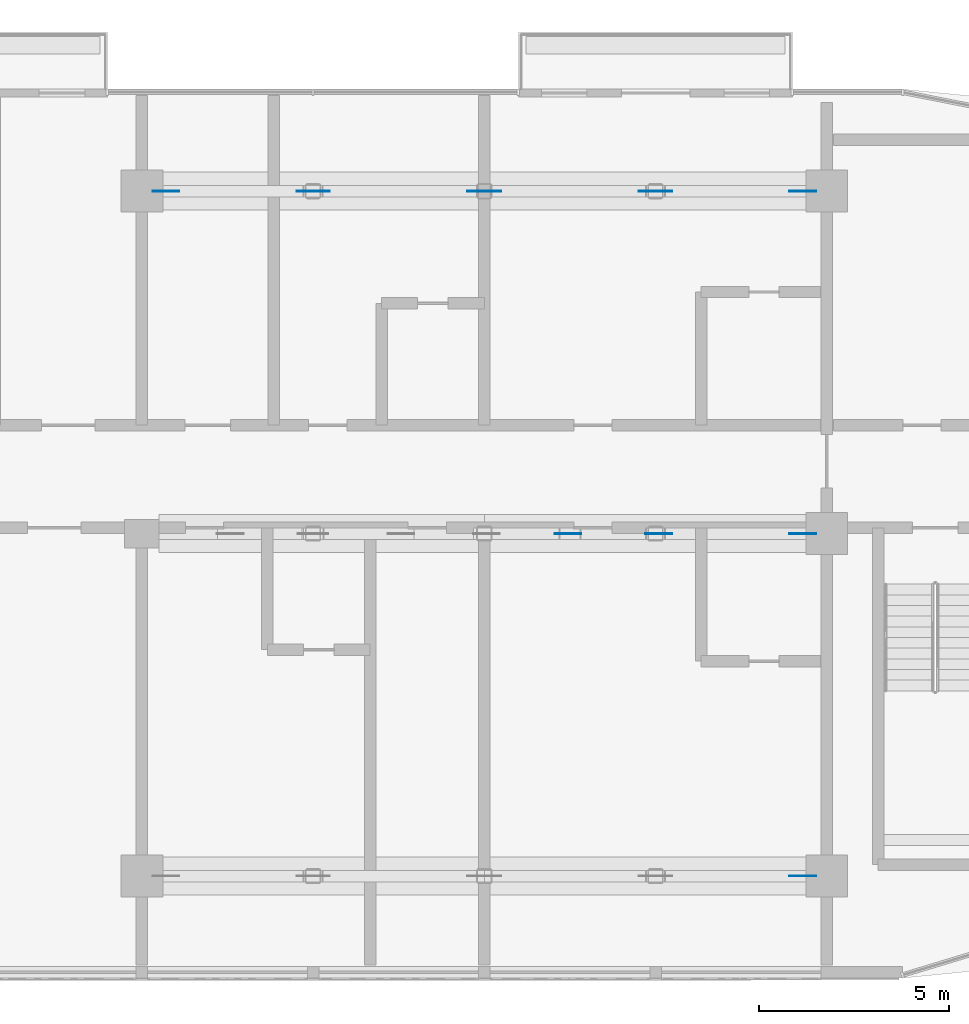
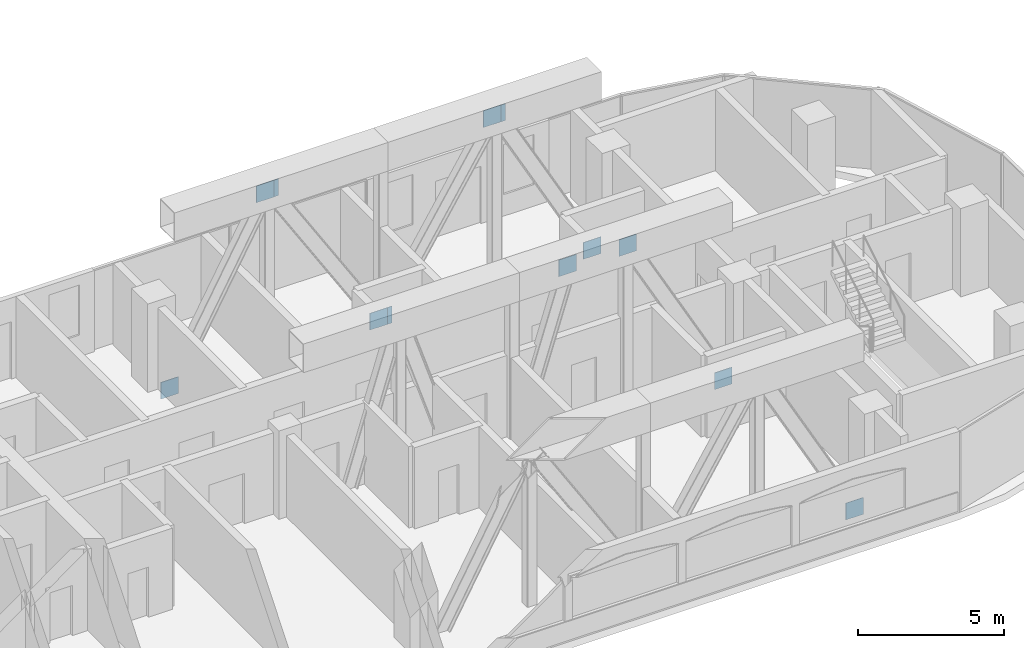
# One storey, part 17 of 25: 12 discrete accessories.
"""IFC4 building model written with IfcOpenShell, lengths in metres."""

import ifcopenshell
import ifcopenshell.guid

model = None  # the IFC model being written
_history = None  # IfcOwnerHistory: only IFC2X3 demands one
_inside = {}  # id of a spatial element -> (the spatial element, [elements in it])
_under = {}  # id of a project, library or spatial element -> (it, [spatial elements below it])
_declared = {}  # id of a project -> (the project, [libraries it declares])
_typed = {}  # id of a type object -> (the type object, [elements of that type])
_made_of = {}  # id of a material, layer set ... -> (it, [elements and type objects made of it])


def new_model(schema):
    """Start an empty IFC model of exactly this schema.

    Asked for "IFC4X3", IfcOpenShell would pick the latest addendum, in which some entities
    have other attributes; the version numbers below select the first issue.
    IFC2X3 requires an IfcOwnerHistory on every rooted entity: one is made here for all.
    """
    global model, _history
    if schema == "IFC4X3":
        model = ifcopenshell.file(schema_version=(4, 3, 0, 0))
    else:
        model = ifcopenshell.file(schema=schema)
    _inside.clear()
    _under.clear()
    _declared.clear()
    _typed.clear()
    _made_of.clear()
    _history = None
    if model.schema == "IFC2X3":
        org = make("IfcOrganization", Name="unknown")
        user = make(
            "IfcPersonAndOrganization",
            ThePerson=make("IfcPerson", FamilyName="unknown"),
            TheOrganization=org,
        )
        app = make(
            "IfcApplication",
            ApplicationDeveloper=org,
            Version="unknown",
            ApplicationFullName="unknown",
            ApplicationIdentifier="unknown",
        )
        _history = make(
            "IfcOwnerHistory",
            OwningUser=user,
            OwningApplication=app,
            ChangeAction="ADDED",
            CreationDate=0,
        )
    return model


def make(cls, **values):
    """One entity of the class cls with the attributes given. An attribute that is None is left unset."""
    return model.create_entity(
        cls, **{name: value for name, value in values.items() if value is not None}
    )


def rooted(cls, **values):
    """An entity with a GlobalId (a new one), such as an element, a storey or a relation."""
    return make(cls, GlobalId=ifcopenshell.guid.new(), OwnerHistory=_history, **values)


def si_unit(unit_type, name, prefix=None):
    """IfcSIUnit, for example si_unit("LENGTHUNIT", "METRE", prefix="MILLI")."""
    return make("IfcSIUnit", UnitType=unit_type, Prefix=prefix, Name=name)


def assignment(units):
    """IfcUnitAssignment: the units of a project."""
    return None if units is None else make("IfcUnitAssignment", Units=units)


def point(xyz):
    """IfcCartesianPoint."""
    return None if xyz is None else make("IfcCartesianPoint", Coordinates=xyz)


def direction(xyz):
    """IfcDirection."""
    return None if xyz is None else make("IfcDirection", DirectionRatios=xyz)


def frame(location, z_axis=None, x_axis=None):
    """IfcAxis2Placement3D, a coordinate frame: its origin and axes. An axis left out is left unset."""
    return make(
        "IfcAxis2Placement3D",
        Location=point(location),
        Axis=direction(z_axis),
        RefDirection=direction(x_axis),
    )


def frame_2d(location, x_axis=None):
    """IfcAxis2Placement2D, a coordinate frame in the plane: its origin and x axis."""
    return make(
        "IfcAxis2Placement2D", Location=point(location), RefDirection=direction(x_axis)
    )


def origin():
    """The frame at (0, 0, 0) with its axes left unset."""
    return frame((0.0, 0.0, 0.0))


def origin_2d():
    """The frame at (0, 0) in the plane with its x axis left unset."""
    return frame_2d((0.0, 0.0))


def place(relative_to, where):
    """IfcLocalPlacement: puts the frame where relative to a parent placement (None: the world)."""
    return make(
        "IfcLocalPlacement", PlacementRelTo=relative_to, RelativePlacement=where
    )


def context(
    kind, dimensions, precision=None, world=None, true_north=None, identifier=None
):
    """IfcGeometricRepresentationContext, for example the 3D "Model" context."""
    return make(
        "IfcGeometricRepresentationContext",
        ContextIdentifier=identifier,
        ContextType=kind,
        CoordinateSpaceDimension=dimensions,
        Precision=precision,
        WorldCoordinateSystem=world,
        TrueNorth=true_north,
    )


def subcontext(parent, identifier, kind, view, scale=None):
    """IfcGeometricRepresentationSubContext, for example "Body" below "Model"."""
    return make(
        "IfcGeometricRepresentationSubContext",
        ContextIdentifier=identifier,
        ContextType=kind,
        ParentContext=parent,
        TargetScale=scale,
        TargetView=view,
    )


def project(units=None, contexts=None):
    """IfcProject with its units and contexts."""
    return rooted(
        "IfcProject",
        Name="project",
        RepresentationContexts=contexts,
        UnitsInContext=assignment(units),
    )


def spatial(cls, under=None, at=None, **own):
    """A site, building, storey or space (cls), placed at a placement, below another one or the project."""
    s = rooted(cls, ObjectPlacement=at, **own)
    if under is not None:
        _under.setdefault(under.id(), (under, []))[1].append(s)
    return s


def profile(cls, at=None, kind="AREA", **sizes):
    """A parametric profile (cls). Its sizes go by their IFC names, for example OverallWidth=200.0."""
    return make(cls, ProfileType=kind, Position=at, **sizes)


def rectangle(**sizes):
    """IfcRectangleProfileDef."""
    return profile("IfcRectangleProfileDef", **sizes)


def extrude(swept, where, along, depth):
    """IfcExtrudedAreaSolid: the profile swept, set in the frame where, extruded along a direction by depth."""
    return make(
        "IfcExtrudedAreaSolid",
        SweptArea=swept,
        Position=where,
        ExtrudedDirection=direction(along),
        Depth=depth,
    )


def shape(context_of_items, identifier, shape_type, items):
    """IfcShapeRepresentation: the items that make up one representation, for example the "Body"."""
    return make(
        "IfcShapeRepresentation",
        ContextOfItems=context_of_items,
        RepresentationIdentifier=identifier,
        RepresentationType=shape_type,
        Items=items,
    )


def material(Name=None, Category=None):
    """IfcMaterial."""
    return make("IfcMaterial", Name=Name, Category=Category)


def layer(
    of_material, thickness, ventilated=None, Name=None, Category=None, Priority=None
):
    """IfcMaterialLayer: one layer of a wall or slab, of a material (None: an air gap)."""
    return make(
        "IfcMaterialLayer",
        Material=of_material,
        LayerThickness=thickness,
        IsVentilated=ventilated,
        Name=Name,
        Category=Category,
        Priority=Priority,
    )


def layer_set(layers, Name=None):
    """IfcMaterialLayerSet."""
    return make("IfcMaterialLayerSet", MaterialLayers=layers, LayerSetName=Name)


def made_of(thing, what):
    """Note that an element or type object is made of a material, layer set ...; save() writes the relation."""
    if what is not None:
        _made_of.setdefault(what.id(), (what, []))[1].append(thing)
    return thing


def type_object(cls, material=None, **own):
    """A type object (cls), such as IfcWallType, which elements share."""
    return made_of(rooted(cls, **own), material)


def element(
    cls,
    number,
    at=None,
    inside=None,
    cuts=None,
    type_object=None,
    material=None,
    context=None,
    identifier="Body",
    shape_type=None,
    held_by="IfcProductDefinitionShape",
    body=None,
    shapes=None,
    **own,
):
    """One element of the class cls, such as IfcWall. Its Tag is "e" and its number.

    at: its placement. inside: the storey or other place that contains it. cuts: it is an
    opening in that element (IfcRelVoidsElement). A single representation is given by context,
    identifier, shape_type and body (its items); several are given by shapes. held_by: the class
    of the entity that holds the representations. save() writes the other relations.
    """
    e = rooted(cls, Tag="e%d" % number, ObjectPlacement=at, **own)
    if body is not None:
        shapes = [shape(context, identifier, shape_type, body)]
    if shapes is not None:
        e.Representation = make(held_by, Representations=shapes)
    if inside is not None:
        _inside.setdefault(inside.id(), (inside, []))[1].append(e)
    if cuts is not None:
        rooted(
            "IfcRelVoidsElement", RelatingBuildingElement=cuts, RelatedOpeningElement=e
        )
    if type_object is not None:
        _typed.setdefault(type_object.id(), (type_object, []))[1].append(e)
    return made_of(e, material)


def aggregate(whole, parts):
    """IfcRelAggregates: a whole, such as a stair, and the parts it consists of."""
    return rooted("IfcRelAggregates", RelatingObject=whole, RelatedObjects=parts)


def save(model, path):
    """Write the relations noted so far, then the file.

    IfcRelAggregates (storeys below a building ...), IfcRelContainedInSpatialStructure (elements
    in a storey), IfcRelDefinesByType, IfcRelAssociatesMaterial and IfcRelDeclares: one each for
    every whole, place, type object, material and project.
    """
    for whole, parts in _under.values():
        aggregate(whole, parts)
    for where, things in _inside.values():
        rooted(
            "IfcRelContainedInSpatialStructure",
            RelatedElements=things,
            RelatingStructure=where,
        )
    for kind, things in _typed.values():
        rooted("IfcRelDefinesByType", RelatedObjects=things, RelatingType=kind)
    for what, things in _made_of.values():
        rooted("IfcRelAssociatesMaterial", RelatedObjects=things, RelatingMaterial=what)
    for by, libraries in _declared.values():
        rooted("IfcRelDeclares", RelatingContext=by, RelatedDefinitions=libraries)
    model.write(path)


model = new_model("IFC4")

# Units and contexts
model_context = context("Model", 3, precision=1e-05, world=origin(), true_north=direction((0.0, 1.0)))
body_context = subcontext(model_context, "Body", "Model", "MODEL_VIEW")
ifc_project = project(units=[si_unit("LENGTHUNIT", "METRE"), si_unit("AREAUNIT", "SQUARE_METRE"), si_unit("VOLUMEUNIT", "CUBIC_METRE"), si_unit("PLANEANGLEUNIT", "RADIAN"), si_unit("MASSUNIT", "GRAM", prefix="KILO")], contexts=[model_context])

# Site, building, storey
site_placement = place(None, origin())
site = spatial("IfcSite", under=ifc_project, at=site_placement, CompositionType="ELEMENT")
building_placement = place(site_placement, origin())
building = spatial("IfcBuilding", under=site, at=building_placement, Name="Ogive Portal Towers", CompositionType="ELEMENT")
storey_placement = place(building_placement, frame((0.0, 0.0, 182.89990234375)))
storey = spatial("IfcBuildingStorey", under=building, at=storey_placement, Name="L45", CompositionType="ELEMENT", Elevation=182.89990234375)

# Discrete accessories
ifc_material = material(Name="Steel S355", Category="steel")
ifc_layer = layer(ifc_material, 0.02001953125)
ifc_layer_set = layer_set([ifc_layer], Name="GUSSET PLATE 700x700x20")
discrete_accessory_type = type_object("IfcDiscreteAccessoryType", Name="GUSSET PLATE 700x700x20", PredefinedType="BRACKET", material=ifc_layer_set)
for number, where, z_axis, x_axis, name in (
    (1, (84.865966796875, 21.5, -0.9033203125), (0.0, 0.0, 1.0), (1.0, 0.0, 0.0), "Gusset plate"),
    (2, (78.69775390625, 30.5, 5.98291015625), (0.0, 0.0, 1.0), (1.0, 0.0, 0.0), "Gusset plate"),
    (3, (81.083984375, 30.5, 5.99658203125), (0.0, 0.0, 1.0), (1.0, 0.0, 0.0), "Gusset plate"),
    (4, (84.865966796875, 30.5, -0.9033203125), (0.0, 0.0, 1.0), (1.0, 0.0, 0.0), "Gusset plate"),
    (5, (68.134033203125, 39.5, -0.9033203125), (0.0, 0.0, 1.0), (1.0, 0.0, 0.0), "Gusset plate"),
    (6, (71.916015625, 39.5, 5.99658203125), (0.0, 0.0, 1.0), (1.0, 0.0, 0.0), "Gusset plate"),
    (7, (72.0927734375, 39.5, 6.001953125), (0.0, 0.0, 1.0), (1.0, 0.0, 0.0), "Gusset plate"),
    (8, (76.4072265625, 39.5, -0.90869140625), (0.0, 0.0, 1.0), (1.0, 0.0, 0.0), "Gusset plate"),
    (9, (76.5927734375, 39.5, -0.90869140625), (0.0, 0.0, 1.0), (1.0, 0.0, 0.0), "Gusset plate"),
    (10, (80.9072265625, 39.5, 6.001953125), (0.0, 0.0, 1.0), (1.0, 0.0, 0.0), "Gusset plate"),
    (11, (81.083984375, 39.5, 5.99658203125), (0.0, 0.0, 1.0), (1.0, 0.0, 0.0), "Gusset plate"),
    (12, (84.865966796875, 39.5, -0.9033203125), (0.0, 0.0, 1.0), (1.0, 0.0, 0.0), "Gusset plate"),
):
    element("IfcDiscreteAccessory", number, at=place(storey_placement, frame(where, z_axis=z_axis, x_axis=x_axis)), inside=storey, type_object=discrete_accessory_type, Name=name, PredefinedType="BRACKET", context=body_context, shape_type="SweptSolid", body=[
        extrude(rectangle(XDim=0.699951171875, YDim=0.02001953125, at=origin_2d()), origin(), (0.0, 0.0, 1.0), 0.699951171875),
    ])

save(model, "model.ifc")
